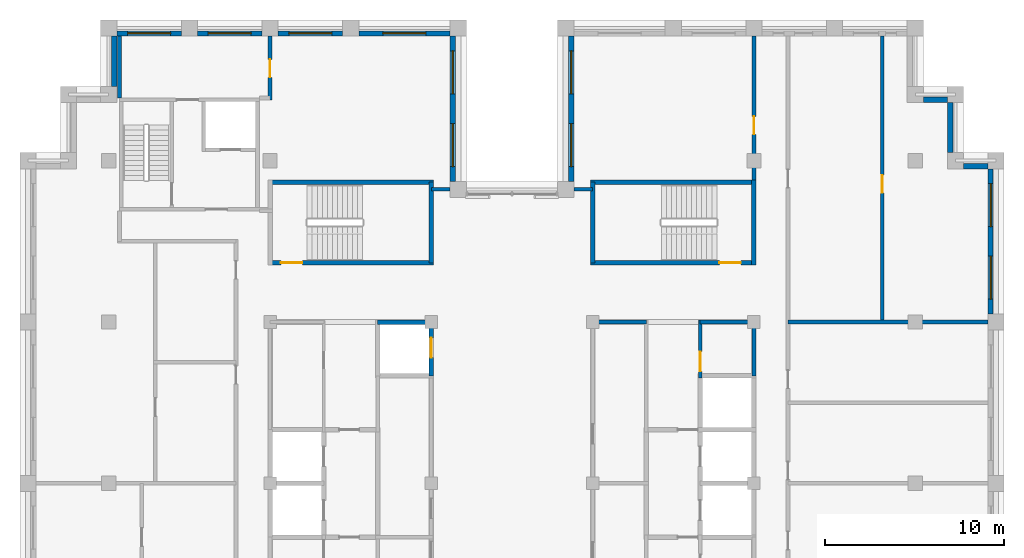
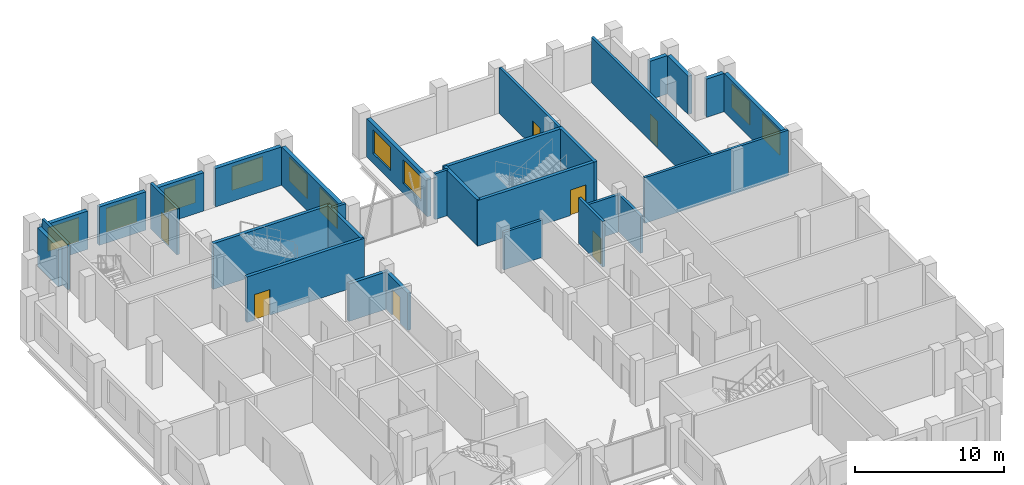
# One storey, part 10 of 13: 31 walls, 10 windows, 7 doors, 17 openings.
"""IFC4 building model written with IfcOpenShell, lengths in metres."""

from ifc_helpers import new_model, si_unit, direction, frame, frame_2d, origin, place, context, subcontext, project, spatial, rectangle, extrude, material, layer, layer_set, type_object, element, fill, save


model = new_model("IFC4")

# Units and contexts
model_context = context("Model", 3, precision=1e-05, world=origin(), true_north=direction((0.0, 1.0)))
body_context = subcontext(model_context, "Body", "Model", "MODEL_VIEW")
ifc_project = project(units=[si_unit("LENGTHUNIT", "METRE"), si_unit("AREAUNIT", "SQUARE_METRE"), si_unit("VOLUMEUNIT", "CUBIC_METRE"), si_unit("PLANEANGLEUNIT", "RADIAN"), si_unit("MASSUNIT", "GRAM", prefix="KILO")], contexts=[model_context])

# Site, building, storey
site_placement = place(None, origin())
site = spatial("IfcSite", under=ifc_project, at=site_placement, CompositionType="ELEMENT")
building_placement = place(site_placement, origin())
building = spatial("IfcBuilding", under=site, at=building_placement, Name="Corbelhall Arena Tower", CompositionType="ELEMENT")
storey_placement = place(building_placement, frame((0.0, 0.0, 342.0)))
storey = spatial("IfcBuildingStorey", under=building, at=storey_placement, Name="L75", CompositionType="ELEMENT", Elevation=342.0)

# Wall, openings, windows
ifc_material_1 = material(Name="Precast concrete C40/50 with granite facing", Category="masonry")
ifc_layer_1 = layer(ifc_material_1, 0.300048828125)
ifc_layer_set_1 = layer_set([ifc_layer_1], Name="EV-IW1 Infill panel 300")
wall_type_1 = type_object("IfcWallType", Name="EV-IW1 Infill panel 300", PredefinedType="SOLIDWALL", material=ifc_layer_set_1)
wall_1_placement = place(storey_placement, frame((26.699951171875, 9.449951171875, 0.0), z_axis=(0.0, 0.0, 1.0), x_axis=(0.0, 1.0, 0.0)))
wall_1 = element("IfcWall", 1, at=wall_1_placement, inside=storey, type_object=wall_type_1, Name="Infill panel IW1", PredefinedType="SOLIDWALL", context=body_context, shape_type="SweptSolid", body=[
    extrude(rectangle(XDim=8.10009765625, YDim=0.300048828125, at=frame_2d((4.050048828125, 0.0))), origin(), (0.0, 0.0, 1.0), 3.139892578125),
])
opening_1_placement = place(wall_1_placement, frame((0.824951171875, 0.0, 0.800048828125)))
opening_1 = element("IfcOpeningElement", 2, at=opening_1_placement, cuts=wall_1, Name="Opening WN1", PredefinedType="OPENING", context=body_context, shape_type="SweptSolid", body=[
    extrude(rectangle(XDim=2.39990234375, YDim=1.949951171875, at=frame_2d((1.199951171875, 0.97509765625))), frame((0.0, 0.14990234375, 0.0), z_axis=(0.0, -1.0, 0.0), x_axis=(1.0, 0.0, 0.0)), (0.0, 0.0, 1.0), 0.300048828125),
])
opening_2_placement = place(wall_1_placement, frame((4.875, 0.0, 0.800048828125)))
opening_2 = element("IfcOpeningElement", 3, at=opening_2_placement, cuts=wall_1, Name="Opening WN1", PredefinedType="OPENING", context=body_context, shape_type="SweptSolid", body=[
    extrude(rectangle(XDim=2.39990234375, YDim=1.949951171875, at=frame_2d((1.199951171875, 0.97509765625))), frame((0.0, 0.14990234375, 0.0), z_axis=(0.0, -1.0, 0.0), x_axis=(1.0, 0.0, 0.0)), (0.0, 0.0, 1.0), 0.300048828125),
])
ifc_material_2 = material(Name="Aluminium black anodised", Category="aluminium")
window_type = type_object("IfcWindowType", Name="EV-WN1 Office window", PartitioningType="SINGLE_PANEL", PredefinedType="WINDOW", material=ifc_material_2)
window_1_placement = place(opening_1_placement, origin())
window_1 = element("IfcWindow", 4, at=window_1_placement, inside=storey, type_object=window_type, Name="Window WN1", OverallHeight=1.949951171875, OverallWidth=2.39990234375, PartitioningType="SINGLE_PANEL", PredefinedType="WINDOW", context=body_context, shape_type="SweptSolid", body=[
    extrude(rectangle(XDim=2.39990234375, YDim=1.949951171875, at=frame_2d((1.199951171875, 0.97509765625))), frame((0.0, 0.030029296875, 0.0), z_axis=(0.0, -1.0, 0.0), x_axis=(1.0, 0.0, 0.0)), (0.0, 0.0, 1.0), 0.06005859375),
])
fill(opening_1, window_1)
window_2_placement = place(opening_2_placement, origin())
window_2 = element("IfcWindow", 5, at=window_2_placement, inside=storey, type_object=window_type, Name="Window WN1", OverallHeight=1.949951171875, OverallWidth=2.39990234375, PartitioningType="SINGLE_PANEL", PredefinedType="WINDOW", context=body_context, shape_type="SweptSolid", body=[
    extrude(rectangle(XDim=2.39990234375, YDim=1.949951171875, at=frame_2d((1.199951171875, 0.97509765625))), frame((0.0, 0.030029296875, 0.0), z_axis=(0.0, -1.0, 0.0), x_axis=(1.0, 0.0, 0.0)), (0.0, 0.0, 1.0), 0.06005859375),
])
fill(opening_2, window_2)

# Walls
wall_2_placement = place(storey_placement, frame((26.550048828125, 17.699951171875, 0.0), z_axis=(0.0, 0.0, 1.0), x_axis=(-1.0, 0.0, 0.0)))
element("IfcWall", 6, at=wall_2_placement, inside=storey, type_object=wall_type_1, Name="Infill panel IW1", PredefinedType="SOLIDWALL", context=body_context, shape_type="SweptSolid", body=[
    extrude(rectangle(XDim=1.35009765625, YDim=0.300048828125, at=frame_2d((0.675048828125, 0.0))), origin(), (0.0, 0.0, 1.0), 3.139892578125),
])
wall_3_placement = place(storey_placement, frame((24.449951171875, 18.449951171875, 0.0), z_axis=(0.0, 0.0, 1.0), x_axis=(0.0, 1.0, 0.0)))
element("IfcWall", 7, at=wall_3_placement, inside=storey, type_object=wall_type_1, Name="Infill panel IW1", PredefinedType="SOLIDWALL", context=body_context, shape_type="SweptSolid", body=[
    extrude(rectangle(XDim=2.800048828125, YDim=0.300048828125, at=frame_2d((1.39990234375, 0.0))), origin(), (0.0, 0.0, 1.0), 3.139892578125),
])
wall_4_placement = place(storey_placement, frame((24.300048828125, 21.39990234375, 0.0), z_axis=(0.0, 0.0, 1.0), x_axis=(-1.0, 0.0, 0.0)))
element("IfcWall", 8, at=wall_4_placement, inside=storey, type_object=wall_type_1, Name="Infill panel IW1", PredefinedType="SOLIDWALL", context=body_context, shape_type="SweptSolid", body=[
    extrude(rectangle(XDim=1.35009765625, YDim=0.300048828125, at=frame_2d((0.675048828125, 0.0))), origin(), (0.0, 0.0, 1.0), 3.139892578125),
])

# Wall, openings, windows
wall_5_placement = place(storey_placement, frame((3.300048828125, 24.949951171875, 0.0), z_axis=(0.0, 0.0, 1.0), x_axis=(0.0, -1.0, 0.0)))
wall_5 = element("IfcWall", 9, at=wall_5_placement, inside=storey, type_object=wall_type_1, Name="Infill panel IW1", PredefinedType="SOLIDWALL", context=body_context, shape_type="SweptSolid", body=[
    extrude(rectangle(XDim=8.099853515625, YDim=0.300048828125, at=frame_2d((4.0498046875, 0.0))), origin(), (0.0, 0.0, 1.0), 3.139892578125),
])
opening_3_placement = place(wall_5_placement, frame((0.824951171875, 0.0, 0.800048828125)))
opening_3 = element("IfcOpeningElement", 10, at=opening_3_placement, cuts=wall_5, Name="Opening WN1", PredefinedType="OPENING", context=body_context, shape_type="SweptSolid", body=[
    extrude(rectangle(XDim=2.39990234375, YDim=1.949951171875, at=frame_2d((1.199951171875, 0.97509765625))), frame((0.0, 0.14990234375, 0.0), z_axis=(0.0, -1.0, 0.0), x_axis=(1.0, 0.0, 0.0)), (0.0, 0.0, 1.0), 0.300048828125),
])
opening_4_placement = place(wall_5_placement, frame((4.875, 0.0, 0.800048828125)))
opening_4 = element("IfcOpeningElement", 11, at=opening_4_placement, cuts=wall_5, Name="Opening WN1", PredefinedType="OPENING", context=body_context, shape_type="SweptSolid", body=[
    extrude(rectangle(XDim=2.39990234375, YDim=1.949951171875, at=frame_2d((1.199951171875, 0.97509765625))), frame((0.0, 0.14990234375, 0.0), z_axis=(0.0, -1.0, 0.0), x_axis=(1.0, 0.0, 0.0)), (0.0, 0.0, 1.0), 0.300048828125),
])
window_3_placement = place(opening_3_placement, origin())
window_3 = element("IfcWindow", 12, at=window_3_placement, inside=storey, type_object=window_type, Name="Window WN1", OverallHeight=1.949951171875, OverallWidth=2.39990234375, PartitioningType="SINGLE_PANEL", PredefinedType="WINDOW", context=body_context, shape_type="SweptSolid", body=[
    extrude(rectangle(XDim=2.39990234375, YDim=1.949951171875, at=frame_2d((1.199951171875, 0.97509765625))), frame((0.0, 0.030029296875, 0.0), z_axis=(0.0, -1.0, 0.0), x_axis=(1.0, 0.0, 0.0)), (0.0, 0.0, 1.0), 0.06005859375),
])
fill(opening_3, window_3)
window_4_placement = place(opening_4_placement, origin())
window_4 = element("IfcWindow", 13, at=window_4_placement, inside=storey, type_object=window_type, Name="Window WN1", OverallHeight=1.949951171875, OverallWidth=2.39990234375, PartitioningType="SINGLE_PANEL", PredefinedType="WINDOW", context=body_context, shape_type="SweptSolid", body=[
    extrude(rectangle(XDim=2.39990234375, YDim=1.949951171875, at=frame_2d((1.199951171875, 0.97509765625))), frame((0.0, 0.030029296875, 0.0), z_axis=(0.0, -1.0, 0.0), x_axis=(1.0, 0.0, 0.0)), (0.0, 0.0, 1.0), 0.06005859375),
])
fill(opening_4, window_4)

wall_6_placement = place(storey_placement, frame((-3.300048828125, 16.85009765625, 0.0), z_axis=(0.0, 0.0, 1.0), x_axis=(0.0, 1.0, 0.0)))
wall_6 = element("IfcWall", 14, at=wall_6_placement, inside=storey, type_object=wall_type_1, Name="Infill panel IW1", PredefinedType="SOLIDWALL", context=body_context, shape_type="SweptSolid", body=[
    extrude(rectangle(XDim=8.099853515625, YDim=0.300048828125, at=frame_2d((4.0498046875, 0.0))), origin(), (0.0, 0.0, 1.0), 3.139892578125),
])
opening_5_placement = place(wall_6_placement, frame((0.824951171875, 0.0, 0.800048828125)))
opening_5 = element("IfcOpeningElement", 15, at=opening_5_placement, cuts=wall_6, Name="Opening WN1", PredefinedType="OPENING", context=body_context, shape_type="SweptSolid", body=[
    extrude(rectangle(XDim=2.39990234375, YDim=1.949951171875, at=frame_2d((1.199951171875, 0.97509765625))), frame((0.0, 0.14990234375, 0.0), z_axis=(0.0, -1.0, 0.0), x_axis=(1.0, 0.0, 0.0)), (0.0, 0.0, 1.0), 0.300048828125),
])
opening_6_placement = place(wall_6_placement, frame((4.875, 0.0, 0.800048828125)))
opening_6 = element("IfcOpeningElement", 16, at=opening_6_placement, cuts=wall_6, Name="Opening WN1", PredefinedType="OPENING", context=body_context, shape_type="SweptSolid", body=[
    extrude(rectangle(XDim=2.39990234375, YDim=1.949951171875, at=frame_2d((1.199951171875, 0.97509765625))), frame((0.0, 0.14990234375, 0.0), z_axis=(0.0, -1.0, 0.0), x_axis=(1.0, 0.0, 0.0)), (0.0, 0.0, 1.0), 0.300048828125),
])
window_5_placement = place(opening_5_placement, origin())
window_5 = element("IfcWindow", 17, at=window_5_placement, inside=storey, type_object=window_type, Name="Window WN1", OverallHeight=1.949951171875, OverallWidth=2.39990234375, PartitioningType="SINGLE_PANEL", PredefinedType="WINDOW", context=body_context, shape_type="SweptSolid", body=[
    extrude(rectangle(XDim=2.39990234375, YDim=1.949951171875, at=frame_2d((1.199951171875, 0.97509765625))), frame((0.0, 0.030029296875, 0.0), z_axis=(0.0, -1.0, 0.0), x_axis=(1.0, 0.0, 0.0)), (0.0, 0.0, 1.0), 0.06005859375),
])
fill(opening_5, window_5)
window_6_placement = place(opening_6_placement, origin())
window_6 = element("IfcWindow", 18, at=window_6_placement, inside=storey, type_object=window_type, Name="Window WN1", OverallHeight=1.949951171875, OverallWidth=2.39990234375, PartitioningType="SINGLE_PANEL", PredefinedType="WINDOW", context=body_context, shape_type="SweptSolid", body=[
    extrude(rectangle(XDim=2.39990234375, YDim=1.949951171875, at=frame_2d((1.199951171875, 0.97509765625))), frame((0.0, 0.030029296875, 0.0), z_axis=(0.0, -1.0, 0.0), x_axis=(1.0, 0.0, 0.0)), (0.0, 0.0, 1.0), 0.06005859375),
])
fill(opening_6, window_6)

# Wall, opening, window
wall_7_placement = place(storey_placement, frame((-3.449951171875, 25.10009765625, 0.0), z_axis=(0.0, 0.0, 1.0), x_axis=(-1.0, 0.0, 0.0)))
wall_7 = element("IfcWall", 19, at=wall_7_placement, inside=storey, type_object=wall_type_1, Name="Infill panel IW1", PredefinedType="SOLIDWALL", context=body_context, shape_type="SweptSolid", body=[
    extrude(rectangle(XDim=5.10009765625, YDim=0.300048828125, at=frame_2d((2.550048828125, 0.0))), origin(), (0.0, 0.0, 1.0), 3.139892578125),
])
opening_7_placement = place(wall_7_placement, frame((1.35009765625, 0.0, 0.800048828125)))
opening_7 = element("IfcOpeningElement", 20, at=opening_7_placement, cuts=wall_7, Name="Opening WN1", PredefinedType="OPENING", context=body_context, shape_type="SweptSolid", body=[
    extrude(rectangle(XDim=2.39990234375, YDim=1.949951171875, at=frame_2d((1.199951171875, 0.97509765625))), frame((0.0, 0.14990234375, 0.0), z_axis=(0.0, -1.0, 0.0), x_axis=(1.0, 0.0, 0.0)), (0.0, 0.0, 1.0), 0.300048828125),
])
window_7_placement = place(opening_7_placement, origin())
window_7 = element("IfcWindow", 21, at=window_7_placement, inside=storey, type_object=window_type, Name="Window WN1", OverallHeight=1.949951171875, OverallWidth=2.39990234375, PartitioningType="SINGLE_PANEL", PredefinedType="WINDOW", context=body_context, shape_type="SweptSolid", body=[
    extrude(rectangle(XDim=2.39990234375, YDim=1.949951171875, at=frame_2d((1.199951171875, 0.97509765625))), frame((0.0, 0.030029296875, 0.0), z_axis=(0.0, -1.0, 0.0), x_axis=(1.0, 0.0, 0.0)), (0.0, 0.0, 1.0), 0.06005859375),
])
fill(opening_7, window_7)

wall_8_placement = place(storey_placement, frame((-9.449951171875, 25.10009765625, 0.0), z_axis=(0.0, 0.0, 1.0), x_axis=(-1.0, 0.0, 0.0)))
wall_8 = element("IfcWall", 22, at=wall_8_placement, inside=storey, type_object=wall_type_1, Name="Infill panel IW1", PredefinedType="SOLIDWALL", context=body_context, shape_type="SweptSolid", body=[
    extrude(rectangle(XDim=3.60009765625, YDim=0.300048828125, at=frame_2d((1.800048828125, 0.0))), origin(), (0.0, 0.0, 1.0), 3.139892578125),
])
opening_8_placement = place(wall_8_placement, frame((0.60009765625, 0.0, 0.800048828125)))
opening_8 = element("IfcOpeningElement", 23, at=opening_8_placement, cuts=wall_8, Name="Opening WN1", PredefinedType="OPENING", context=body_context, shape_type="SweptSolid", body=[
    extrude(rectangle(XDim=2.39990234375, YDim=1.949951171875, at=frame_2d((1.199951171875, 0.97509765625))), frame((0.0, 0.14990234375, 0.0), z_axis=(0.0, -1.0, 0.0), x_axis=(1.0, 0.0, 0.0)), (0.0, 0.0, 1.0), 0.300048828125),
])
window_8_placement = place(opening_8_placement, origin())
window_8 = element("IfcWindow", 24, at=window_8_placement, inside=storey, type_object=window_type, Name="Window WN1", OverallHeight=1.949951171875, OverallWidth=2.39990234375, PartitioningType="SINGLE_PANEL", PredefinedType="WINDOW", context=body_context, shape_type="SweptSolid", body=[
    extrude(rectangle(XDim=2.39990234375, YDim=1.949951171875, at=frame_2d((1.199951171875, 0.97509765625))), frame((0.0, 0.030029296875, 0.0), z_axis=(0.0, -1.0, 0.0), x_axis=(1.0, 0.0, 0.0)), (0.0, 0.0, 1.0), 0.06005859375),
])
fill(opening_8, window_8)

wall_9_placement = place(storey_placement, frame((-13.949951171875, 25.10009765625, 0.0), z_axis=(0.0, 0.0, 1.0), x_axis=(-1.0, 0.0, 0.0)))
wall_9 = element("IfcWall", 25, at=wall_9_placement, inside=storey, type_object=wall_type_1, Name="Infill panel IW1", PredefinedType="SOLIDWALL", context=body_context, shape_type="SweptSolid", body=[
    extrude(rectangle(XDim=3.60009765625, YDim=0.300048828125, at=frame_2d((1.800048828125, 0.0))), origin(), (0.0, 0.0, 1.0), 3.139892578125),
])
opening_9_placement = place(wall_9_placement, frame((0.60009765625, 0.0, 0.800048828125)))
opening_9 = element("IfcOpeningElement", 26, at=opening_9_placement, cuts=wall_9, Name="Opening WN1", PredefinedType="OPENING", context=body_context, shape_type="SweptSolid", body=[
    extrude(rectangle(XDim=2.39990234375, YDim=1.949951171875, at=frame_2d((1.199951171875, 0.97509765625))), frame((0.0, 0.14990234375, 0.0), z_axis=(0.0, -1.0, 0.0), x_axis=(1.0, 0.0, 0.0)), (0.0, 0.0, 1.0), 0.300048828125),
])
window_9_placement = place(opening_9_placement, origin())
window_9 = element("IfcWindow", 27, at=window_9_placement, inside=storey, type_object=window_type, Name="Window WN1", OverallHeight=1.949951171875, OverallWidth=2.39990234375, PartitioningType="SINGLE_PANEL", PredefinedType="WINDOW", context=body_context, shape_type="SweptSolid", body=[
    extrude(rectangle(XDim=2.39990234375, YDim=1.949951171875, at=frame_2d((1.199951171875, 0.97509765625))), frame((0.0, 0.030029296875, 0.0), z_axis=(0.0, -1.0, 0.0), x_axis=(1.0, 0.0, 0.0)), (0.0, 0.0, 1.0), 0.06005859375),
])
fill(opening_9, window_9)

wall_10_placement = place(storey_placement, frame((-18.449951171875, 25.10009765625, 0.0), z_axis=(0.0, 0.0, 1.0), x_axis=(-1.0, 0.0, 0.0)))
wall_10 = element("IfcWall", 28, at=wall_10_placement, inside=storey, type_object=wall_type_1, Name="Infill panel IW1", PredefinedType="SOLIDWALL", context=body_context, shape_type="SweptSolid", body=[
    extrude(rectangle(XDim=3.60009765625, YDim=0.300048828125, at=frame_2d((1.800048828125, 0.0))), origin(), (0.0, 0.0, 1.0), 3.139892578125),
])
opening_10_placement = place(wall_10_placement, frame((0.60009765625, 0.0, 0.800048828125)))
opening_10 = element("IfcOpeningElement", 29, at=opening_10_placement, cuts=wall_10, Name="Opening WN1", PredefinedType="OPENING", context=body_context, shape_type="SweptSolid", body=[
    extrude(rectangle(XDim=2.39990234375, YDim=1.949951171875, at=frame_2d((1.199951171875, 0.97509765625))), frame((0.0, 0.14990234375, 0.0), z_axis=(0.0, -1.0, 0.0), x_axis=(1.0, 0.0, 0.0)), (0.0, 0.0, 1.0), 0.300048828125),
])
window_10_placement = place(opening_10_placement, origin())
window_10 = element("IfcWindow", 30, at=window_10_placement, inside=storey, type_object=window_type, Name="Window WN1", OverallHeight=1.949951171875, OverallWidth=2.39990234375, PartitioningType="SINGLE_PANEL", PredefinedType="WINDOW", context=body_context, shape_type="SweptSolid", body=[
    extrude(rectangle(XDim=2.39990234375, YDim=1.949951171875, at=frame_2d((1.199951171875, 0.97509765625))), frame((0.0, 0.030029296875, 0.0), z_axis=(0.0, -1.0, 0.0), x_axis=(1.0, 0.0, 0.0)), (0.0, 0.0, 1.0), 0.06005859375),
])
fill(opening_10, window_10)

# Walls
wall_11_placement = place(storey_placement, frame((-22.199951171875, 24.949951171875, 0.0), z_axis=(0.0, 0.0, 1.0), x_axis=(0.0, -1.0, 0.0)))
element("IfcWall", 31, at=wall_11_placement, inside=storey, type_object=wall_type_1, Name="Infill panel IW1", PredefinedType="SOLIDWALL", context=body_context, shape_type="SweptSolid", body=[
    extrude(rectangle(XDim=2.800048828125, YDim=0.300048828125, at=frame_2d((1.39990234375, 0.0))), origin(), (0.0, 0.0, 1.0), 3.139892578125),
])
ifc_material_3 = material(Name="Gypsum board on steel stud, acoustic", Category="steel")
ifc_layer_2 = layer(ifc_material_3, 0.199951171875)
ifc_layer_set_2 = layer_set([ifc_layer_2], Name="IN-W-DM200")
wall_type_2 = type_object("IfcWallType", Name="IN-W-DM200", PredefinedType="PARTITIONING", material=ifc_layer_set_2)
wall_12_placement = place(storey_placement, frame((-21.89990234375, 21.5, 0.0), z_axis=(0.0, 0.0, 1.0), x_axis=(0.0, 1.0, 0.0)))
element("IfcWall", 32, at=wall_12_placement, inside=storey, type_object=wall_type_2, Name="Partition 005", PredefinedType="PARTITIONING", context=body_context, shape_type="SweptSolid", body=[
    extrude(rectangle(XDim=3.449951171875, YDim=0.199951171875, at=frame_2d((1.72509765625, 0.0))), origin(), (0.0, 0.0, 1.0), 3.739990234375),
])

# Wall, opening, door
wall_13_placement = place(storey_placement, frame((-13.5, 24.949951171875, 0.0), z_axis=(0.0, 0.0, 1.0), x_axis=(0.0, -1.0, 0.0)))
wall_13 = element("IfcWall", 33, at=wall_13_placement, inside=storey, type_object=wall_type_2, Name="Partition 015", PredefinedType="PARTITIONING", context=body_context, shape_type="SweptSolid", body=[
    extrude(rectangle(XDim=3.550048828125, YDim=0.199951171875, at=frame_2d((1.77490234375, 0.0))), origin(), (0.0, 0.0, 1.0), 3.739990234375),
])
opening_11_placement = place(wall_13_placement, frame((1.300048828125, 0.0, 0.0)))
opening_11 = element("IfcOpeningElement", 34, at=opening_11_placement, cuts=wall_13, Name="Opening 24018", PredefinedType="OPENING", context=body_context, shape_type="SweptSolid", body=[
    extrude(rectangle(XDim=1.0, YDim=2.10009765625, at=frame_2d((0.5, 1.050048828125))), frame((0.0, 0.10009765625, 0.0), z_axis=(0.0, -1.0, 0.0), x_axis=(1.0, 0.0, 0.0)), (0.0, 0.0, 1.0), 0.199951171875),
])
ifc_material_4 = material(Name="Steel door set", Category="steel")
door_type_1 = type_object("IfcDoorType", Name="IN-D-SW100", OperationType="NOTDEFINED", PredefinedType="DOOR", material=ifc_material_4)
door_1_placement = place(opening_11_placement, origin())
door_1 = element("IfcDoor", 35, at=door_1_placement, inside=storey, type_object=door_type_1, Name="Door 018", OperationType="SINGLE_SWING_LEFT", OverallHeight=2.10009765625, OverallWidth=1.0, PredefinedType="DOOR", context=body_context, shape_type="SweptSolid", body=[
    extrude(rectangle(XDim=1.0, YDim=2.10009765625, at=frame_2d((0.5, 1.050048828125))), frame((0.0, 0.02490234375, 0.0), z_axis=(0.0, -1.0, 0.0), x_axis=(1.0, 0.0, 0.0)), (0.0, 0.0, 1.0), 0.050048828125),
])
fill(opening_11, door_1)

# Walls
for number, where, z_axis, x_axis, name in (
    (36, (-4.5, 16.39990234375, 0.0), (0.0, 0.0, 1.0), (1.0, 0.0, 0.0), "Partition 016"),
    (37, (3.449951171875, 16.39990234375, 0.0), (0.0, 0.0, 1.0), (1.0, 0.0, 0.0), "Partition 018"),
):
    element("IfcWall", number, at=place(storey_placement, frame(where, z_axis=z_axis, x_axis=x_axis)), inside=storey, type_object=wall_type_2, Name=name, PredefinedType="PARTITIONING", context=body_context, shape_type="SweptSolid", body=[
        extrude(rectangle(XDim=1.050048828125, YDim=0.199951171875, at=frame_2d((0.52490234375, 0.0))), origin(), (0.0, 0.0, 1.0), 3.739990234375),
    ])

# Wall, opening, door
wall_14_placement = place(storey_placement, frame((13.5, 16.675048828125, 0.0), z_axis=(0.0, 0.0, 1.0), x_axis=(0.0, 1.0, 0.0)))
wall_14 = element("IfcWall", 38, at=wall_14_placement, inside=storey, type_object=wall_type_2, Name="Partition 021", PredefinedType="PARTITIONING", context=body_context, shape_type="SweptSolid", body=[
    extrude(rectangle(XDim=8.27490234375, YDim=0.199951171875, at=frame_2d((4.137451171875, 0.0))), origin(), (0.0, 0.0, 1.0), 3.739990234375),
])
opening_12_placement = place(wall_14_placement, frame((2.800048828125, 0.0, 0.0)))
opening_12 = element("IfcOpeningElement", 39, at=opening_12_placement, cuts=wall_14, Name="Opening 24019", PredefinedType="OPENING", context=body_context, shape_type="SweptSolid", body=[
    extrude(rectangle(XDim=1.0, YDim=2.10009765625, at=frame_2d((0.5, 1.050048828125))), frame((0.0, 0.10009765625, 0.0), z_axis=(0.0, -1.0, 0.0), x_axis=(1.0, 0.0, 0.0)), (0.0, 0.0, 1.0), 0.199951171875),
])
door_2_placement = place(opening_12_placement, origin())
door_2 = element("IfcDoor", 40, at=door_2_placement, inside=storey, type_object=door_type_1, Name="Door 019", OperationType="SINGLE_SWING_RIGHT", OverallHeight=2.10009765625, OverallWidth=1.0, PredefinedType="DOOR", context=body_context, shape_type="SweptSolid", body=[
    extrude(rectangle(XDim=1.0, YDim=2.10009765625, at=frame_2d((0.5, 1.050048828125))), frame((0.0, 0.02490234375, 0.0), z_axis=(0.0, -1.0, 0.0), x_axis=(1.0, 0.0, 0.0)), (0.0, 0.0, 1.0), 0.050048828125),
])
fill(opening_12, door_2)

# Wall
wall_15_placement = place(storey_placement, frame((15.39990234375, 9.0, 0.0), z_axis=(0.0, 0.0, 1.0), x_axis=(1.0, 0.0, 0.0)))
element("IfcWall", 41, at=wall_15_placement, inside=storey, type_object=wall_type_2, Name="Partition 028", PredefinedType="PARTITIONING", context=body_context, shape_type="SweptSolid", body=[
    extrude(rectangle(XDim=11.150146484375, YDim=0.199951171875, at=frame_2d((5.5751953125, 0.0))), origin(), (0.0, 0.0, 1.0), 3.739990234375),
])

# Wall, opening, door
wall_16_placement = place(storey_placement, frame((20.64990234375, 24.949951171875, 0.0), z_axis=(0.0, 0.0, 1.0), x_axis=(0.0, -1.0, 0.0)))
wall_16 = element("IfcWall", 42, at=wall_16_placement, inside=storey, type_object=wall_type_2, Name="Partition 029", PredefinedType="PARTITIONING", context=body_context, shape_type="SweptSolid", body=[
    extrude(rectangle(XDim=15.949951171875, YDim=0.199951171875, at=frame_2d((7.97509765625, 0.0))), origin(), (0.0, 0.0, 1.0), 3.739990234375),
])
opening_13_placement = place(wall_16_placement, frame((7.75, 0.0, 0.0)))
opening_13 = element("IfcOpeningElement", 43, at=opening_13_placement, cuts=wall_16, Name="Opening 24033", PredefinedType="OPENING", context=body_context, shape_type="SweptSolid", body=[
    extrude(rectangle(XDim=1.0, YDim=2.10009765625, at=frame_2d((0.5, 1.050048828125))), frame((0.0, 0.10009765625, 0.0), z_axis=(0.0, -1.0, 0.0), x_axis=(1.0, 0.0, 0.0)), (0.0, 0.0, 1.0), 0.199951171875),
])
door_3_placement = place(opening_13_placement, origin())
door_3 = element("IfcDoor", 44, at=door_3_placement, inside=storey, type_object=door_type_1, Name="Door 033", OperationType="SINGLE_SWING_RIGHT", OverallHeight=2.10009765625, OverallWidth=1.0, PredefinedType="DOOR", context=body_context, shape_type="SweptSolid", body=[
    extrude(rectangle(XDim=1.0, YDim=2.10009765625, at=frame_2d((0.5, 1.050048828125))), frame((0.0, 0.02490234375, 0.0), z_axis=(0.0, -1.0, 0.0), x_axis=(1.0, 0.0, 0.0)), (0.0, 0.0, 1.0), 0.050048828125),
])
fill(opening_13, door_3)

ifc_material_5 = material(Name="Concrete block wall", Category="concrete")
ifc_layer_3 = layer(ifc_material_5, 0.199951171875)
ifc_layer_set_3 = layer_set([ifc_layer_3], Name="IN-W-RS200")
wall_type_3 = type_object("IfcWallType", Name="IN-W-RS200", PredefinedType="SOLIDWALL", material=ifc_layer_set_3)
wall_17_placement = place(storey_placement, frame((10.5, 9.10009765625, 0.0), z_axis=(0.0, 0.0, 1.0), x_axis=(0.0, -1.0, 0.0)))
wall_17 = element("IfcWall", 45, at=wall_17_placement, inside=storey, type_object=wall_type_3, Name="Partition 045", PredefinedType="SOLIDWALL", context=body_context, shape_type="SweptSolid", body=[
    extrude(rectangle(XDim=3.22509765625, YDim=0.199951171875, at=frame_2d((1.612548828125, 0.0))), origin(), (0.0, 0.0, 1.0), 3.739990234375),
])
opening_14_placement = place(wall_17_placement, frame((1.75, 0.0, 0.0)))
opening_14 = element("IfcOpeningElement", 46, at=opening_14_placement, cuts=wall_17, Name="Opening 24013", PredefinedType="OPENING", context=body_context, shape_type="SweptSolid", body=[
    extrude(rectangle(XDim=1.10009765625, YDim=2.10009765625, at=frame_2d((0.550048828125, 1.050048828125))), frame((0.0, 0.10009765625, 0.0), z_axis=(0.0, -1.0, 0.0), x_axis=(1.0, 0.0, 0.0)), (0.0, 0.0, 1.0), 0.199951171875),
])
door_type_2 = type_object("IfcDoorType", Name="IN-D-FD110", OperationType="NOTDEFINED", PredefinedType="DOOR", material=ifc_material_4)
door_4_placement = place(opening_14_placement, origin())
door_4 = element("IfcDoor", 47, at=door_4_placement, inside=storey, type_object=door_type_2, Name="Door 013", OperationType="SINGLE_SWING_RIGHT", OverallHeight=2.10009765625, OverallWidth=1.10009765625, PredefinedType="DOOR", context=body_context, shape_type="SweptSolid", body=[
    extrude(rectangle(XDim=1.10009765625, YDim=2.10009765625, at=frame_2d((0.550048828125, 1.050048828125))), frame((0.0, 0.02490234375, 0.0), z_axis=(0.0, -1.0, 0.0), x_axis=(1.0, 0.0, 0.0)), (0.0, 0.0, 1.0), 0.050048828125),
])
fill(opening_14, door_4)

# Walls
ifc_layer_4 = layer(ifc_material_5, 0.199951171875)
ifc_layer_set_4 = layer_set([ifc_layer_4], Name="IN-W-RS200 under beam 678 mm")
wall_type_4 = type_object("IfcWallType", Name="IN-W-RS200 under beam 678 mm", PredefinedType="SOLIDWALL", material=ifc_layer_set_4)
for number, where, z_axis, x_axis, name in (
    (48, (4.5, 9.0, 0.0), (0.0, 0.0, 1.0), (1.0, 0.0, 0.0), "Partition 040"),
    (49, (10.5, 9.0, 0.0), (0.0, 0.0, 1.0), (1.0, 0.0, 0.0), "Partition 044"),
):
    element("IfcWall", number, at=place(storey_placement, frame(where, z_axis=z_axis, x_axis=x_axis)), inside=storey, type_object=wall_type_4, Name=name, PredefinedType="SOLIDWALL", context=body_context, shape_type="SweptSolid", body=[
        extrude(rectangle(XDim=3.0, YDim=0.199951171875, at=frame_2d((1.5, 0.0))), origin(), (0.0, 0.0, 1.0), 3.061767578125),
    ])
wall_18_placement = place(storey_placement, frame((13.5, 9.10009765625, 0.0), z_axis=(0.0, 0.0, 1.0), x_axis=(0.0, -1.0, 0.0)))
element("IfcWall", 50, at=wall_18_placement, inside=storey, type_object=wall_type_4, Name="Partition 047", PredefinedType="SOLIDWALL", context=body_context, shape_type="SweptSolid", body=[
    extrude(rectangle(XDim=3.10009765625, YDim=0.199951171875, at=frame_2d((1.550048828125, 0.0))), origin(), (0.0, 0.0, 1.0), 3.061767578125),
])
ifc_material_6 = material(Name="Concrete C40/50", Category="concrete")
ifc_layer_5 = layer(ifc_material_6, 0.25)
ifc_layer_set_5 = layer_set([ifc_layer_5], Name="IN-W-SH250 under beam 678 mm")
wall_type_5 = type_object("IfcWallType", Name="IN-W-SH250 under beam 678 mm", PredefinedType="SOLIDWALL", material=ifc_layer_set_5)
wall_19_placement = place(storey_placement, frame((-7.5, 9.0, 0.0), z_axis=(0.0, 0.0, 1.0), x_axis=(1.0, 0.0, 0.0)))
element("IfcWall", 51, at=wall_19_placement, inside=storey, type_object=wall_type_5, Name="Shaft wall 056", PredefinedType="SOLIDWALL", context=body_context, shape_type="SweptSolid", body=[
    extrude(rectangle(XDim=3.0, YDim=0.25, at=frame_2d((1.5, 0.0))), origin(), (0.0, 0.0, 1.0), 3.061767578125),
])

# Wall, opening, door
wall_20_placement = place(storey_placement, frame((-4.5, 9.125, 0.0), z_axis=(0.0, 0.0, 1.0), x_axis=(0.0, -1.0, 0.0)))
wall_20 = element("IfcWall", 52, at=wall_20_placement, inside=storey, type_object=wall_type_5, Name="Shaft wall 057", PredefinedType="SOLIDWALL", context=body_context, shape_type="SweptSolid", body=[
    extrude(rectangle(XDim=3.125, YDim=0.25, at=frame_2d((1.5625, 0.0))), origin(), (0.0, 0.0, 1.0), 3.061767578125),
])
opening_15_placement = place(wall_20_placement, frame((1.012451171875, 0.0, 0.0)))
opening_15 = element("IfcOpeningElement", 53, at=opening_15_placement, cuts=wall_20, Name="Opening LD", PredefinedType="OPENING", context=body_context, shape_type="SweptSolid", body=[
    extrude(rectangle(XDim=1.10009765625, YDim=2.10009765625, at=frame_2d((0.550048828125, 1.050048828125))), frame((0.0, 0.125, 0.0), z_axis=(0.0, -1.0, 0.0), x_axis=(1.0, 0.0, 0.0)), (0.0, 0.0, 1.0), 0.25),
])
door_type_3 = type_object("IfcDoorType", Name="IN-D-LD110", OperationType="NOTDEFINED", PredefinedType="DOOR", material=ifc_material_4)
door_5_placement = place(opening_15_placement, origin())
door_5 = element("IfcDoor", 54, at=door_5_placement, inside=storey, type_object=door_type_3, Name="Landing door W6", OperationType="SLIDING_TO_LEFT", OverallHeight=2.10009765625, OverallWidth=1.10009765625, PredefinedType="DOOR", context=body_context, shape_type="SweptSolid", body=[
    extrude(rectangle(XDim=1.10009765625, YDim=2.10009765625, at=frame_2d((0.550048828125, 1.050048828125))), frame((0.0, 0.02490234375, 0.0), z_axis=(0.0, -1.0, 0.0), x_axis=(1.0, 0.0, 0.0)), (0.0, 0.0, 1.0), 0.050048828125),
])
fill(opening_15, door_5)

ifc_layer_6 = layer(ifc_material_6, 0.25)
ifc_layer_set_6 = layer_set([ifc_layer_6], Name="IN-W-ST250")
wall_type_6 = type_object("IfcWallType", Name="IN-W-ST250", PredefinedType="SOLIDWALL", material=ifc_layer_set_6)
wall_21_placement = place(storey_placement, frame((-13.5, 12.300048828125, 0.0), z_axis=(0.0, 0.0, 1.0), x_axis=(1.0, 0.0, 0.0)))
wall_21 = element("IfcWall", 55, at=wall_21_placement, inside=storey, type_object=wall_type_6, Name="Shaft wall 070", PredefinedType="SOLIDWALL", context=body_context, shape_type="SweptSolid", body=[
    extrude(rectangle(XDim=9.125, YDim=0.25, at=frame_2d((4.5625, 0.0))), origin(), (0.0, 0.0, 1.0), 3.739990234375),
])
opening_16_placement = place(wall_21_placement, frame((0.60009765625, 0.0, 0.0)))
opening_16 = element("IfcOpeningElement", 56, at=opening_16_placement, cuts=wall_21, Name="Opening 24014", PredefinedType="OPENING", context=body_context, shape_type="SweptSolid", body=[
    extrude(rectangle(XDim=1.199951171875, YDim=2.10009765625, at=frame_2d((0.60009765625, 1.050048828125))), frame((0.0, 0.125, 0.0), z_axis=(0.0, -1.0, 0.0), x_axis=(1.0, 0.0, 0.0)), (0.0, 0.0, 1.0), 0.25),
])
door_type_4 = type_object("IfcDoorType", Name="IN-D-ST120", OperationType="NOTDEFINED", PredefinedType="DOOR", material=ifc_material_4)
door_6_placement = place(opening_16_placement, origin())
door_6 = element("IfcDoor", 57, at=door_6_placement, inside=storey, type_object=door_type_4, Name="Door 014", OperationType="SINGLE_SWING_LEFT", OverallHeight=2.10009765625, OverallWidth=1.199951171875, PredefinedType="DOOR", context=body_context, shape_type="SweptSolid", body=[
    extrude(rectangle(XDim=1.199951171875, YDim=2.10009765625, at=frame_2d((0.60009765625, 1.050048828125))), frame((0.0, 0.02490234375, 0.0), z_axis=(0.0, -1.0, 0.0), x_axis=(1.0, 0.0, 0.0)), (0.0, 0.0, 1.0), 0.050048828125),
])
fill(opening_16, door_6)

# Walls
wall_22_placement = place(storey_placement, frame((-13.5, 16.800048828125, 0.0), z_axis=(0.0, 0.0, 1.0), x_axis=(1.0, 0.0, 0.0)))
element("IfcWall", 58, at=wall_22_placement, inside=storey, type_object=wall_type_6, Name="Shaft wall 072", PredefinedType="SOLIDWALL", context=body_context, shape_type="SweptSolid", body=[
    extrude(rectangle(XDim=9.125, YDim=0.25, at=frame_2d((4.5625, 0.0))), origin(), (0.0, 0.0, 1.0), 3.739990234375),
])
wall_23_placement = place(storey_placement, frame((-4.5, 16.800048828125, 0.0), z_axis=(0.0, 0.0, 1.0), x_axis=(0.0, -1.0, 0.0)))
element("IfcWall", 59, at=wall_23_placement, inside=storey, type_object=wall_type_6, Name="Shaft wall 075", PredefinedType="SOLIDWALL", context=body_context, shape_type="SweptSolid", body=[
    extrude(rectangle(XDim=4.5, YDim=0.25, at=frame_2d((2.25, 0.0))), origin(), (0.0, 0.0, 1.0), 3.739990234375),
])

# Wall, opening, door
wall_24_placement = place(storey_placement, frame((4.375, 12.300048828125, 0.0), z_axis=(0.0, 0.0, 1.0), x_axis=(1.0, 0.0, 0.0)))
wall_24 = element("IfcWall", 60, at=wall_24_placement, inside=storey, type_object=wall_type_6, Name="Shaft wall 077", PredefinedType="SOLIDWALL", context=body_context, shape_type="SweptSolid", body=[
    extrude(rectangle(XDim=9.125, YDim=0.25, at=frame_2d((4.5625, 0.0))), origin(), (0.0, 0.0, 1.0), 3.739990234375),
])
opening_17_placement = place(wall_24_placement, frame((7.199951171875, 0.0, 0.0)))
opening_17 = element("IfcOpeningElement", 61, at=opening_17_placement, cuts=wall_24, Name="Opening 24016", PredefinedType="OPENING", context=body_context, shape_type="SweptSolid", body=[
    extrude(rectangle(XDim=1.199951171875, YDim=2.10009765625, at=frame_2d((0.60009765625, 1.050048828125))), frame((0.0, 0.125, 0.0), z_axis=(0.0, -1.0, 0.0), x_axis=(1.0, 0.0, 0.0)), (0.0, 0.0, 1.0), 0.25),
])
door_7_placement = place(opening_17_placement, origin())
door_7 = element("IfcDoor", 62, at=door_7_placement, inside=storey, type_object=door_type_4, Name="Door 016", OperationType="SINGLE_SWING_LEFT", OverallHeight=2.10009765625, OverallWidth=1.199951171875, PredefinedType="DOOR", context=body_context, shape_type="SweptSolid", body=[
    extrude(rectangle(XDim=1.199951171875, YDim=2.10009765625, at=frame_2d((0.60009765625, 1.050048828125))), frame((0.0, 0.02490234375, 0.0), z_axis=(0.0, -1.0, 0.0), x_axis=(1.0, 0.0, 0.0)), (0.0, 0.0, 1.0), 0.050048828125),
])
fill(opening_17, door_7)

# Walls
wall_25_placement = place(storey_placement, frame((4.375, 16.800048828125, 0.0), z_axis=(0.0, 0.0, 1.0), x_axis=(1.0, 0.0, 0.0)))
element("IfcWall", 63, at=wall_25_placement, inside=storey, type_object=wall_type_6, Name="Shaft wall 078", PredefinedType="SOLIDWALL", context=body_context, shape_type="SweptSolid", body=[
    extrude(rectangle(XDim=9.125, YDim=0.25, at=frame_2d((4.5625, 0.0))), origin(), (0.0, 0.0, 1.0), 3.739990234375),
])
wall_26_placement = place(storey_placement, frame((4.5, 12.300048828125, 0.0), z_axis=(0.0, 0.0, 1.0), x_axis=(0.0, 1.0, 0.0)))
element("IfcWall", 64, at=wall_26_placement, inside=storey, type_object=wall_type_6, Name="Shaft wall 080", PredefinedType="SOLIDWALL", context=body_context, shape_type="SweptSolid", body=[
    extrude(rectangle(XDim=4.5, YDim=0.25, at=frame_2d((2.25, 0.0))), origin(), (0.0, 0.0, 1.0), 3.739990234375),
])
wall_27_placement = place(storey_placement, frame((13.5, 12.175048828125, 0.0), z_axis=(0.0, 0.0, 1.0), x_axis=(0.0, 1.0, 0.0)))
element("IfcWall", 65, at=wall_27_placement, inside=storey, type_object=wall_type_6, Name="Shaft wall 084", PredefinedType="SOLIDWALL", context=body_context, shape_type="SweptSolid", body=[
    extrude(rectangle(XDim=4.75, YDim=0.25, at=frame_2d((2.375, 0.0))), origin(), (0.0, 0.0, 1.0), 3.739990234375),
])

save(model, "model.ifc")
